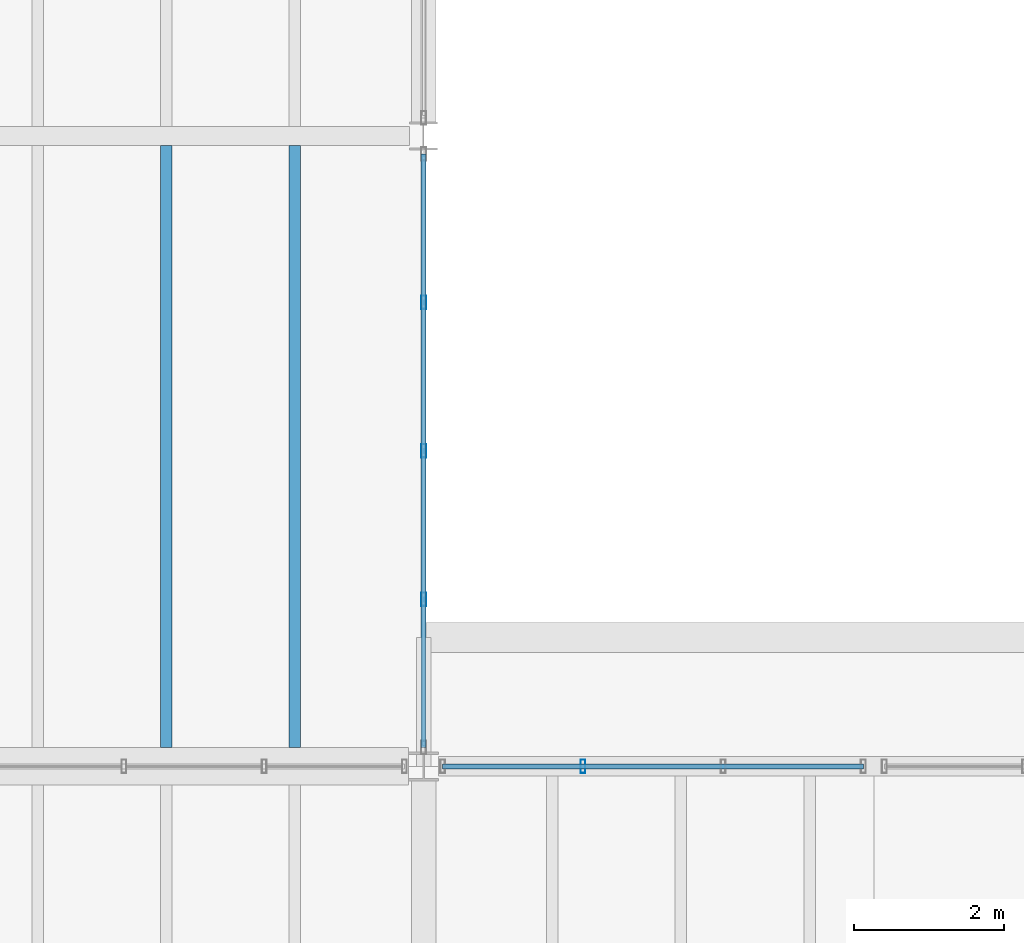
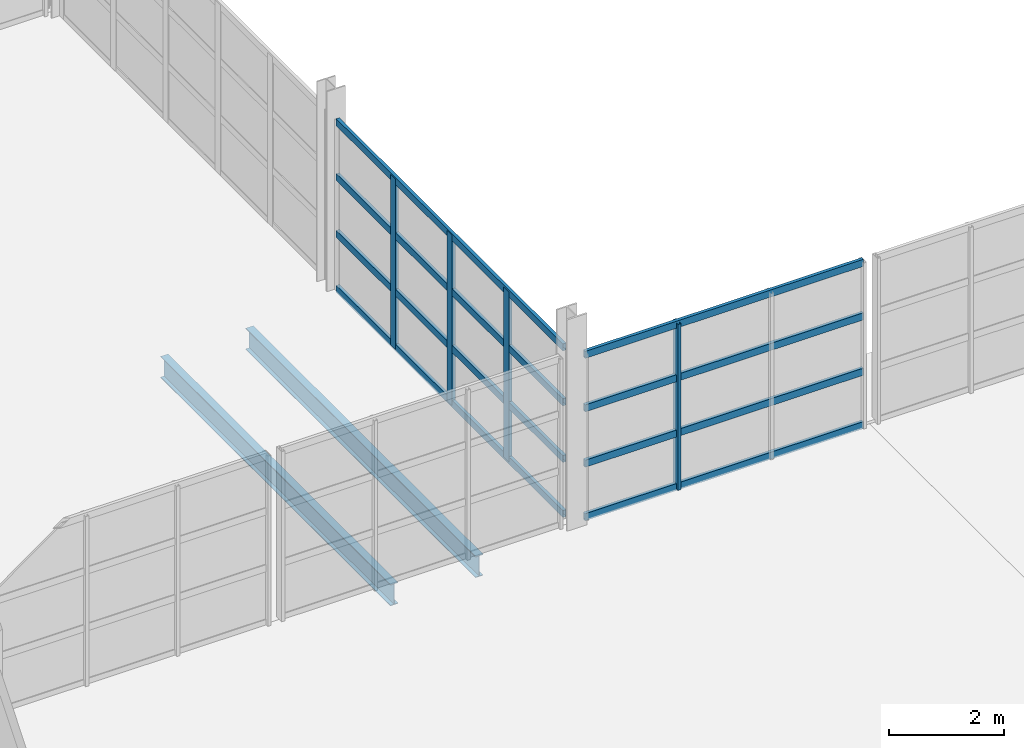
# One storey, part 24 of 114: 12 members, 2 beams, 2 elements without a shape of their own.
"""IFC4 building model written with IfcOpenShell, lengths in metres."""

from ifc_helpers import new_model, si_unit, direction, frame, origin, origin_2d, place, context, subcontext, project, spatial, hollow_rectangle, i_section, extrude, material, material_profile, profile_set, type_object, element, aggregate, save


model = new_model("IFC4")

# Units and contexts
model_context = context("Model", 3, precision=1e-05, world=origin(), true_north=direction((0.0, 1.0)))
body_context = subcontext(model_context, "Body", "Model", "MODEL_VIEW")
ifc_project = project(units=[si_unit("LENGTHUNIT", "METRE"), si_unit("AREAUNIT", "SQUARE_METRE"), si_unit("VOLUMEUNIT", "CUBIC_METRE"), si_unit("PLANEANGLEUNIT", "RADIAN"), si_unit("MASSUNIT", "GRAM", prefix="KILO")], contexts=[model_context])

# Site, building, storey
site_placement = place(None, origin())
site = spatial("IfcSite", under=ifc_project, at=site_placement, CompositionType="ELEMENT")
building_placement = place(site_placement, origin())
building = spatial("IfcBuilding", under=site, at=building_placement, Name="Kelmvaro Bay Concert Hall", CompositionType="ELEMENT")
storey_placement = place(building_placement, frame((0.0, 0.0, 4.800048828125)))
storey = spatial("IfcBuildingStorey", under=building, at=storey_placement, Name="L01", CompositionType="ELEMENT", Elevation=4.800048828125)

# Curtain wall, member
ifc_material_1 = material(Name="Anodised Aluminium and Low-E Insulated Glazing", Category="aluminium")
curtain_wall_type_1 = type_object("IfcCurtainWallType", Name="Mezzanine Concourse Curtain Wall 4100", PredefinedType="USERDEFINED", material=ifc_material_1)
curtain_wall_1_placement = place(storey_placement, origin())
curtain_wall_1 = element("IfcCurtainWall", 1, at=curtain_wall_1_placement, inside=storey, type_object=curtain_wall_type_1, Name="Unitised Curtain Wall CW-L01-068", ObjectType="UNITISED GLAZING", PredefinedType="USERDEFINED")
ifc_material_2 = material(Name="Anodised Extruded Aluminium 6063-T6", Category="aluminium")
ifc_material_profile_1 = material_profile(ifc_material_2, hollow_rectangle(XDim=0.06494140625, YDim=0.179931640625, WallThickness=0.00390625, at=origin_2d()), Name="ALU-MUL-180X65")
ifc_profile_set_1 = profile_set([ifc_material_profile_1], Name="Anodised Extruded Aluminium 6063-T6")
member_type_1 = type_object("IfcMemberType", Name="Curtain Mullion ALU 180x65", PredefinedType="MULLION", material=ifc_profile_set_1)
member_1_placement = place(storey_placement, frame((62.123046875, 39.0, 0.0), z_axis=(0.0, 0.0, 1.0), x_axis=(1.0, 0.0, 0.0)))
member_1 = element("IfcMember", 2, at=member_1_placement, type_object=member_type_1, Name="CW-L01-068 Mullion 02", PredefinedType="MULLION", context=body_context, shape_type="SweptSolid", body=[
    extrude(hollow_rectangle(XDim=0.06494140625, YDim=0.179931640625, WallThickness=0.00390625, at=origin_2d()), origin(), (0.0, 0.0, 1.0), 3.536865234375),
])

# Curtain wall, members
ifc_material_3 = material(Name="Anodised Aluminium and Low-E Insulated Glazing", Category="aluminium")
curtain_wall_type_2 = type_object("IfcCurtainWallType", Name="West Link Courtyard Curtain Wall 4000", PredefinedType="USERDEFINED", material=ifc_material_3)
curtain_wall_2_placement = place(storey_placement, origin())
curtain_wall_2 = element("IfcCurtainWall", 3, at=curtain_wall_2_placement, inside=storey, type_object=curtain_wall_type_2, Name="Unitised Curtain Wall CW-L01-130", ObjectType="UNITISED GLAZING", PredefinedType="USERDEFINED")
member_2_placement = place(storey_placement, frame((60.0, 45.180908203125, 0.0), z_axis=(0.0, 0.0, 1.0), x_axis=(1.0, 0.0, 0.0)))
member_2 = element("IfcMember", 4, at=member_2_placement, type_object=member_type_1, Name="CW-L01-130 Mullion 02", PredefinedType="MULLION", context=body_context, shape_type="SweptSolid", body=[
    extrude(hollow_rectangle(XDim=0.06494140625, YDim=0.179931640625, WallThickness=0.00390625, at=origin_2d()), origin(), (0.0, 0.0, 1.0), 3.6279296875),
])
member_3_placement = place(storey_placement, frame((60.0, 43.203125, 0.0), z_axis=(0.0, 0.0, 1.0), x_axis=(1.0, 0.0, 0.0)))
member_3 = element("IfcMember", 5, at=member_3_placement, type_object=member_type_1, Name="CW-L01-130 Mullion 03", PredefinedType="MULLION", context=body_context, shape_type="SweptSolid", body=[
    extrude(hollow_rectangle(XDim=0.06494140625, YDim=0.179931640625, WallThickness=0.00390625, at=origin_2d()), origin(), (0.0, 0.0, 1.0), 3.6279296875),
])
member_4_placement = place(storey_placement, frame((60.0, 41.2255859375, 0.0), z_axis=(0.0, 0.0, 1.0), x_axis=(1.0, 0.0, 0.0)))
member_4 = element("IfcMember", 6, at=member_4_placement, type_object=member_type_1, Name="CW-L01-130 Mullion 04", PredefinedType="MULLION", context=body_context, shape_type="SweptSolid", body=[
    extrude(hollow_rectangle(XDim=0.06494140625, YDim=0.179931640625, WallThickness=0.00390625, at=origin_2d()), origin(), (0.0, 0.0, 1.0), 3.6279296875),
])

# Member
ifc_material_4 = material(Name="Anodised Extruded Aluminium 6063-T6", Category="aluminium")
ifc_material_profile_2 = material_profile(ifc_material_4, hollow_rectangle(XDim=0.06494140625, YDim=0.14990234375, WallThickness=0.00390625, at=origin_2d()), Name="ALU-TRN-150X65")
ifc_profile_set_2 = profile_set([ifc_material_profile_2], Name="Anodised Extruded Aluminium 6063-T6")
member_type_2 = type_object("IfcMemberType", Name="Curtain Transom ALU 150x65", PredefinedType="USERDEFINED", material=ifc_profile_set_2)
member_5_placement = place(storey_placement, frame((60.25439453125, 39.0, 0.0400390625), z_axis=(1.0, 0.0, 0.0), x_axis=(0.0, 1.0, 0.0)))
member_5 = element("IfcMember", 7, at=member_5_placement, type_object=member_type_2, Name="CW-L01-068 Transom 01", ObjectType="TRANSOM", PredefinedType="USERDEFINED", context=body_context, shape_type="SweptSolid", body=[
    extrude(hollow_rectangle(XDim=0.06494140625, YDim=0.14990234375, WallThickness=0.00390625, at=origin_2d()), origin(), (0.0, 0.0, 1.0), 5.605712890625),
])

member_6_placement = place(storey_placement, frame((60.25439453125, 39.0, 1.178955078125), z_axis=(1.0, 0.0, 0.0), x_axis=(0.0, 1.0, 0.0)))
member_6 = element("IfcMember", 8, at=member_6_placement, type_object=member_type_2, Name="CW-L01-068 Transom 02", ObjectType="TRANSOM", PredefinedType="USERDEFINED", context=body_context, shape_type="SweptSolid", body=[
    extrude(hollow_rectangle(XDim=0.06494140625, YDim=0.14990234375, WallThickness=0.00390625, at=origin_2d()), origin(), (0.0, 0.0, 1.0), 5.605712890625),
])

member_7_placement = place(storey_placement, frame((60.25439453125, 39.0, 2.35791015625), z_axis=(1.0, 0.0, 0.0), x_axis=(0.0, 1.0, 0.0)))
member_7 = element("IfcMember", 9, at=member_7_placement, type_object=member_type_2, Name="CW-L01-068 Transom 03", ObjectType="TRANSOM", PredefinedType="USERDEFINED", context=body_context, shape_type="SweptSolid", body=[
    extrude(hollow_rectangle(XDim=0.06494140625, YDim=0.14990234375, WallThickness=0.00390625, at=origin_2d()), origin(), (0.0, 0.0, 1.0), 5.605712890625),
])

member_8_placement = place(storey_placement, frame((60.25439453125, 39.0, 3.4970703125), z_axis=(1.0, 0.0, 0.0), x_axis=(0.0, 1.0, 0.0)))
member_8 = element("IfcMember", 10, at=member_8_placement, type_object=member_type_2, Name="CW-L01-068 Transom 04", ObjectType="TRANSOM", PredefinedType="USERDEFINED", context=body_context, shape_type="SweptSolid", body=[
    extrude(hollow_rectangle(XDim=0.06494140625, YDim=0.14990234375, WallThickness=0.00390625, at=origin_2d()), origin(), (0.0, 0.0, 1.0), 5.605712890625),
])

aggregate(curtain_wall_1, [member_1, member_5, member_6, member_7, member_8])

member_9_placement = place(storey_placement, frame((60.0, 47.158447265625, 0.0400390625), z_axis=(0.0, -1.0, 0.0), x_axis=(1.0, 0.0, 0.0)))
member_9 = element("IfcMember", 11, at=member_9_placement, type_object=member_type_2, Name="CW-L01-130 Transom 01", ObjectType="TRANSOM", PredefinedType="USERDEFINED", context=body_context, shape_type="SweptSolid", body=[
    extrude(hollow_rectangle(XDim=0.06494140625, YDim=0.14990234375, WallThickness=0.00390625, at=origin_2d()), origin(), (0.0, 0.0, 1.0), 7.910400390625),
])

member_10_placement = place(storey_placement, frame((60.0, 47.158447265625, 1.209228515625), z_axis=(0.0, -1.0, 0.0), x_axis=(1.0, 0.0, 0.0)))
member_10 = element("IfcMember", 12, at=member_10_placement, type_object=member_type_2, Name="CW-L01-130 Transom 02", ObjectType="TRANSOM", PredefinedType="USERDEFINED", context=body_context, shape_type="SweptSolid", body=[
    extrude(hollow_rectangle(XDim=0.06494140625, YDim=0.14990234375, WallThickness=0.00390625, at=origin_2d()), origin(), (0.0, 0.0, 1.0), 7.910400390625),
])

member_11_placement = place(storey_placement, frame((60.0, 47.158447265625, 2.418701171875), z_axis=(0.0, -1.0, 0.0), x_axis=(1.0, 0.0, 0.0)))
member_11 = element("IfcMember", 13, at=member_11_placement, type_object=member_type_2, Name="CW-L01-130 Transom 03", ObjectType="TRANSOM", PredefinedType="USERDEFINED", context=body_context, shape_type="SweptSolid", body=[
    extrude(hollow_rectangle(XDim=0.06494140625, YDim=0.14990234375, WallThickness=0.00390625, at=origin_2d()), origin(), (0.0, 0.0, 1.0), 7.910400390625),
])

member_12_placement = place(storey_placement, frame((60.0, 47.158447265625, 3.587890625), z_axis=(0.0, -1.0, 0.0), x_axis=(1.0, 0.0, 0.0)))
member_12 = element("IfcMember", 14, at=member_12_placement, type_object=member_type_2, Name="CW-L01-130 Transom 04", ObjectType="TRANSOM", PredefinedType="USERDEFINED", context=body_context, shape_type="SweptSolid", body=[
    extrude(hollow_rectangle(XDim=0.06494140625, YDim=0.14990234375, WallThickness=0.00390625, at=origin_2d()), origin(), (0.0, 0.0, 1.0), 7.910400390625),
])

aggregate(curtain_wall_2, [member_2, member_3, member_4, member_9, member_10, member_11, member_12])

# Beams
ifc_material_5 = material(Name="Steel ASTM A992 Grade 50", Category="steel")
ifc_material_profile_3 = material_profile(ifc_material_5, i_section(OverallWidth=0.152099609375, OverallDepth=0.455078125, WebThickness=0.008056640625, FlangeThickness=0.01318359375, at=origin_2d()), Name="W18X40")
ifc_profile_set_3 = profile_set([ifc_material_profile_3], Name="Steel ASTM A992 Grade 50")
beam_type = type_object("IfcBeamType", Name="Foyer Concourse Floor Joist W18x40", PredefinedType="JOIST", material=ifc_profile_set_3)
for number, where, z_axis, x_axis, name in (
    (15, (56.5712890625, 39.25, -0.4775390625), (0.0, 1.0, 0.0), (-1.0, 0.0, 0.0), "L01 Floor Joist JST-L01-0448"),
    (16, (58.28564453125, 39.25, -0.4775390625), (0.0, 1.0, 0.0), (-1.0, 0.0, 0.0), "L01 Floor Joist JST-L01-0449"),
):
    element("IfcBeam", number, at=place(storey_placement, frame(where, z_axis=z_axis, x_axis=x_axis)), inside=storey, type_object=beam_type, Name=name, PredefinedType="JOIST", context=body_context, shape_type="SweptSolid", body=[
        extrude(i_section(OverallWidth=0.152099609375, OverallDepth=0.455078125, WebThickness=0.008056640625, FlangeThickness=0.01318359375, at=origin_2d()), origin(), (0.0, 0.0, 1.0), 8.02197265625),
    ])

save(model, "model.ifc")
